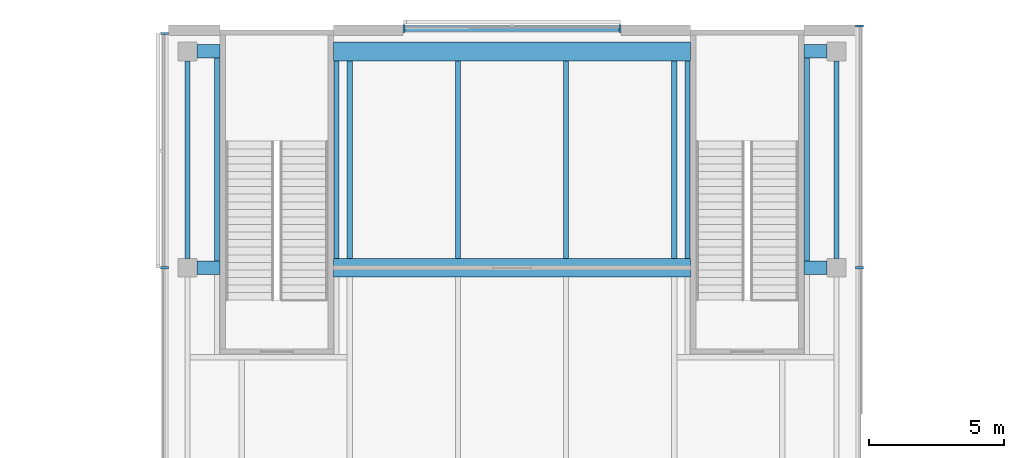
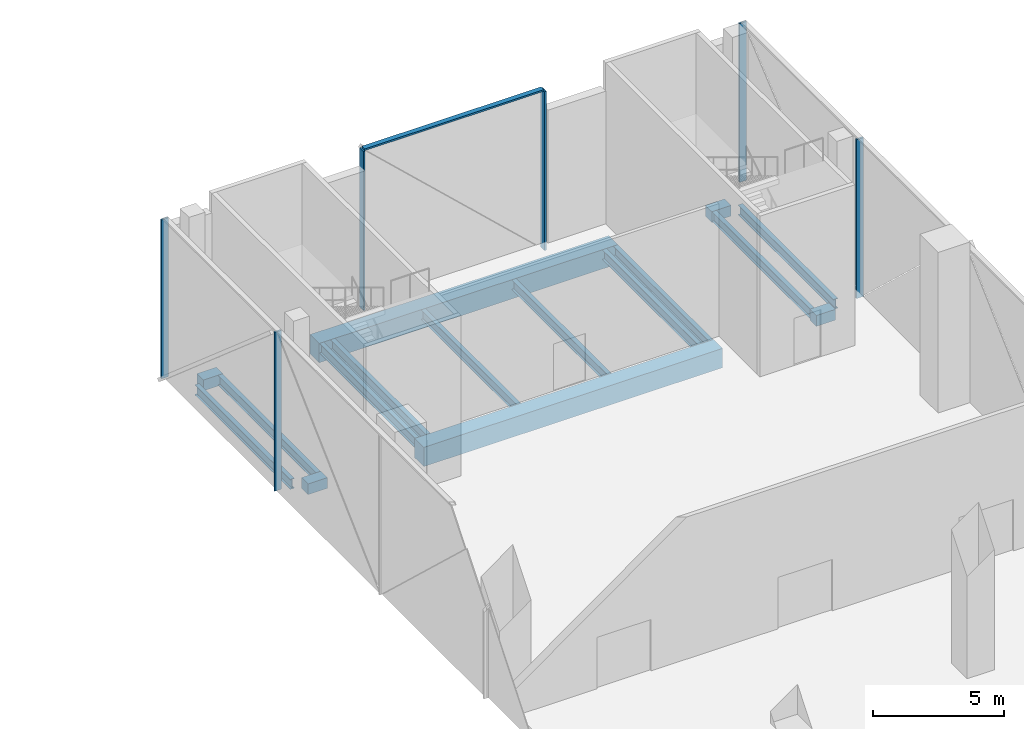
# One storey, part 11 of 25: 16 beams, 7 members, 3 elements without a shape of their own.
"""IFC4 building model written with IfcOpenShell, lengths in metres."""

from ifc_helpers import new_model, si_unit, direction, frame, origin, origin_2d, place, context, subcontext, project, spatial, rectangle, i_section, extrude, material, material_profile, profile_set, type_object, element, aggregate, save


model = new_model("IFC4")

# Units and contexts
model_context = context("Model", 3, precision=1e-05, world=origin(), true_north=direction((0.0, 1.0)))
body_context = subcontext(model_context, "Body", "Model", "MODEL_VIEW")
ifc_project = project(units=[si_unit("LENGTHUNIT", "METRE"), si_unit("AREAUNIT", "SQUARE_METRE"), si_unit("VOLUMEUNIT", "CUBIC_METRE"), si_unit("PLANEANGLEUNIT", "RADIAN"), si_unit("MASSUNIT", "GRAM", prefix="KILO")], contexts=[model_context])

# Site, building, storey
site_placement = place(None, origin())
site = spatial("IfcSite", under=ifc_project, at=site_placement, CompositionType="ELEMENT")
building_placement = place(site_placement, origin())
building = spatial("IfcBuilding", under=site, at=building_placement, Name="Crosswind Convention Tower", CompositionType="ELEMENT")
storey_placement = place(building_placement, frame((0.0, 0.0, 34.0)))
storey = spatial("IfcBuildingStorey", under=building, at=storey_placement, Name="L04", CompositionType="ELEMENT", Elevation=34.0)

# Beams
ifc_material_1 = material(Name="Steel S355", Category="steel")
ifc_material_profile_1 = material_profile(ifc_material_1, i_section(OverallWidth=0.19287109375, OverallDepth=0.467529296875, WebThickness=0.011474609375, FlangeThickness=0.01953125, FilletRadius=0.01025390625, at=origin_2d()), Name="UB 457x191x98")
ifc_profile_set_1 = profile_set([ifc_material_profile_1], Name="Steel S355")
beam_type_1 = type_object("IfcBeamType", Name="Edge beam UB 457x191x98", PredefinedType="SPANDREL", material=ifc_profile_set_1)
for number, where, z_axis, x_axis, name in (
    (1, (113.0, 136.35009765625, -0.6337890625), (0.0, 1.0, 0.0), (-1.0, 0.0, 0.0), "B20 L04 edge beam 12"),
    (2, (137.0, 136.35009765625, -0.6337890625), (0.0, 1.0, 0.0), (-1.0, 0.0, 0.0), "B20 L04 edge beam 20"),
):
    element("IfcBeam", number, at=place(storey_placement, frame(where, z_axis=z_axis, x_axis=x_axis)), inside=storey, type_object=beam_type_1, Name=name, PredefinedType="SPANDREL", context=body_context, shape_type="SweptSolid", body=[
        extrude(i_section(OverallWidth=0.19287109375, OverallDepth=0.467529296875, WebThickness=0.011474609375, FlangeThickness=0.01953125, FilletRadius=0.01025390625, at=origin_2d()), origin(), (0.0, 0.0, 1.0), 7.2998046875),
    ])

# Curtain wall, members
ifc_material_2 = material(Name="Aluminium unitised curtain wall", Category="aluminium")
curtain_wall_type = type_object("IfcCurtainWallType", Name="PODIUM UNITISED WALL 300", PredefinedType="USERDEFINED", material=ifc_material_2)
curtain_wall_1_placement = place(storey_placement, origin())
curtain_wall_1 = element("IfcCurtainWall", 3, at=curtain_wall_1_placement, inside=storey, type_object=curtain_wall_type, Name="CW1 L04 N-E 1", ObjectType="UNITISED", PredefinedType="USERDEFINED")
ifc_material_3 = material(Name="Aluminium mullion", Category="aluminium")
ifc_material_profile_2 = material_profile(ifc_material_3, rectangle(XDim=0.300048828125, YDim=0.080078125, at=origin_2d()), Name="AL 300X80")
ifc_profile_set_2 = profile_set([ifc_material_profile_2], Name="Aluminium mullion")
member_type_1 = type_object("IfcMemberType", Name="MULLION 80X300", PredefinedType="MULLION", material=ifc_profile_set_2)
member_1_placement = place(storey_placement, frame((137.85009765625, 136.0, -0.39990234375), z_axis=(0.0, 0.0, 1.0), x_axis=(1.0, 0.0, 0.0)))
member_1 = element("IfcMember", 4, at=member_1_placement, type_object=member_type_1, Name="CW1 mullion 3", PredefinedType="MULLION", context=body_context, shape_type="SweptSolid", body=[
    extrude(rectangle(XDim=0.300048828125, YDim=0.080078125, at=origin_2d()), origin(), (0.0, 0.0, 1.0), 7.419921875),
])
member_2_placement = place(storey_placement, frame((137.85009765625, 144.945068359375, -0.39990234375), z_axis=(0.0, 0.0, 1.0), x_axis=(1.0, 0.0, 0.0)))
member_2 = element("IfcMember", 5, at=member_2_placement, type_object=member_type_1, Name="CW1 mullion 4", PredefinedType="MULLION", context=body_context, shape_type="SweptSolid", body=[
    extrude(rectangle(XDim=0.300048828125, YDim=0.080078125, at=origin_2d()), origin(), (0.0, 0.0, 1.0), 7.419921875),
])
aggregate(curtain_wall_1, [member_1, member_2])

curtain_wall_2_placement = place(storey_placement, origin())
curtain_wall_2 = element("IfcCurtainWall", 6, at=curtain_wall_2_placement, inside=storey, type_object=curtain_wall_type, Name="CW1 L04 N-TIP 1", ObjectType="UNITISED", PredefinedType="USERDEFINED")
member_3_placement = place(storey_placement, frame((129.0, 144.85009765625, -0.39990234375), z_axis=(0.0, 0.0, 1.0), x_axis=(0.0, 1.0, 0.0)))
member_3 = element("IfcMember", 7, at=member_3_placement, type_object=member_type_1, Name="CW1 mullion 1", PredefinedType="MULLION", context=body_context, shape_type="SweptSolid", body=[
    extrude(rectangle(XDim=0.300048828125, YDim=0.080078125, at=origin_2d()), origin(), (0.0, 0.0, 1.0), 7.419921875),
])
member_4_placement = place(storey_placement, frame((121.0, 144.85009765625, -0.39990234375), z_axis=(0.0, 0.0, 1.0), x_axis=(0.0, 1.0, 0.0)))
member_4 = element("IfcMember", 8, at=member_4_placement, type_object=member_type_1, Name="CW1 mullion 2", PredefinedType="MULLION", context=body_context, shape_type="SweptSolid", body=[
    extrude(rectangle(XDim=0.300048828125, YDim=0.080078125, at=origin_2d()), origin(), (0.0, 0.0, 1.0), 7.419921875),
])

curtain_wall_3_placement = place(storey_placement, origin())
curtain_wall_3 = element("IfcCurtainWall", 9, at=curtain_wall_3_placement, inside=storey, type_object=curtain_wall_type, Name="CW1 L04 N-W 1", ObjectType="UNITISED", PredefinedType="USERDEFINED")
member_5_placement = place(storey_placement, frame((112.14990234375, 144.659912109375, -0.39990234375), z_axis=(0.0, 0.0, 1.0), x_axis=(-1.0, 0.0, 0.0)))
member_5 = element("IfcMember", 10, at=member_5_placement, type_object=member_type_1, Name="CW1 mullion 1", PredefinedType="MULLION", context=body_context, shape_type="SweptSolid", body=[
    extrude(rectangle(XDim=0.300048828125, YDim=0.080078125, at=origin_2d()), origin(), (0.0, 0.0, 1.0), 7.419921875),
])
member_6_placement = place(storey_placement, frame((112.14990234375, 136.0, -0.39990234375), z_axis=(0.0, 0.0, 1.0), x_axis=(-1.0, 0.0, 0.0)))
member_6 = element("IfcMember", 11, at=member_6_placement, type_object=member_type_1, Name="CW1 mullion 2", PredefinedType="MULLION", context=body_context, shape_type="SweptSolid", body=[
    extrude(rectangle(XDim=0.300048828125, YDim=0.080078125, at=origin_2d()), origin(), (0.0, 0.0, 1.0), 7.419921875),
])
aggregate(curtain_wall_3, [member_5, member_6])

# Beams
ifc_material_4 = material(Name="Concrete C60/75", Category="concrete")
ifc_material_profile_3 = material_profile(ifc_material_4, rectangle(XDim=0.699951171875, YDim=0.89990234375, at=origin_2d()), Name="RC 700X900")
ifc_profile_set_3 = profile_set([ifc_material_profile_3], Name="Concrete C60/75")
beam_type_2 = type_object("IfcBeamType", Name="Prestressed concrete girder between stair walls RC 700X900", PredefinedType="BEAM", material=ifc_profile_set_3)
for number, where, z_axis, x_axis, name in (
    (12, (118.39990234375, 136.0, -0.85009765625), (1.0, 0.0, 0.0), (0.0, 1.0, 0.0), "B41 L04 prestressed concrete girder between stair walls 5"),
    (13, (118.39990234375, 144.0, -0.85009765625), (1.0, 0.0, 0.0), (0.0, 1.0, 0.0), "B41 L04 prestressed concrete girder between stair walls 6"),
):
    element("IfcBeam", number, at=place(storey_placement, frame(where, z_axis=z_axis, x_axis=x_axis)), inside=storey, type_object=beam_type_2, Name=name, PredefinedType="BEAM", context=body_context, shape_type="SweptSolid", body=[
        extrude(rectangle(XDim=0.699951171875, YDim=0.89990234375, at=origin_2d()), origin(), (0.0, 0.0, 1.0), 13.2001953125),
    ])
ifc_material_profile_4 = material_profile(ifc_material_1, i_section(OverallWidth=0.19140625, OverallDepth=0.460205078125, WebThickness=0.010009765625, FlangeThickness=0.01611328125, FilletRadius=0.01025390625, at=origin_2d()), Name="UB 457x191x82")
ifc_profile_set_4 = profile_set([ifc_material_profile_4], Name="Steel S355")
beam_type_3 = type_object("IfcBeamType", Name="Secondary beam UB 457x191x82", PredefinedType="JOIST", material=ifc_profile_set_4)
for number, where, z_axis, x_axis, name in (
    (14, (119.0, 136.35009765625, -0.630126953125), (0.0, 1.0, 0.0), (-1.0, 0.0, 0.0), "B13 L04 secondary beam 27"),
    (15, (123.0, 136.35009765625, -0.630126953125), (0.0, 1.0, 0.0), (-1.0, 0.0, 0.0), "B13 L04 secondary beam 38"),
    (16, (127.0, 136.35009765625, -0.630126953125), (0.0, 1.0, 0.0), (-1.0, 0.0, 0.0), "B13 L04 secondary beam 46"),
    (17, (131.0, 136.35009765625, -0.630126953125), (0.0, 1.0, 0.0), (-1.0, 0.0, 0.0), "B13 L04 secondary beam 57"),
):
    element("IfcBeam", number, at=place(storey_placement, frame(where, z_axis=z_axis, x_axis=x_axis)), inside=storey, type_object=beam_type_3, Name=name, PredefinedType="JOIST", context=body_context, shape_type="SweptSolid", body=[
        extrude(i_section(OverallWidth=0.19140625, OverallDepth=0.460205078125, WebThickness=0.010009765625, FlangeThickness=0.01611328125, FilletRadius=0.01025390625, at=origin_2d()), origin(), (0.0, 0.0, 1.0), 7.2998046875),
    ])
ifc_material_profile_5 = material_profile(ifc_material_4, rectangle(XDim=0.5, YDim=0.5, at=origin_2d()), Name="RC 500X500")
ifc_profile_set_5 = profile_set([ifc_material_profile_5], Name="Concrete C60/75")
beam_type_4 = type_object("IfcBeamType", Name="Slab edge tie beam RC 500X500", PredefinedType="BEAM", material=ifc_profile_set_5)
for number, where, z_axis, x_axis, name in (
    (18, (113.35009765625, 136.0, -0.64990234375), (1.0, 0.0, 0.0), (0.0, 1.0, 0.0), "B42 L04 slab edge tie beam 7"),
    (19, (113.35009765625, 144.0, -0.64990234375), (1.0, 0.0, 0.0), (0.0, 1.0, 0.0), "B42 L04 slab edge tie beam 8"),
    (20, (135.800048828125, 136.0, -0.64990234375), (1.0, 0.0, 0.0), (0.0, 1.0, 0.0), "B42 L04 slab edge tie beam 11"),
    (21, (135.800048828125, 144.0, -0.64990234375), (1.0, 0.0, 0.0), (0.0, 1.0, 0.0), "B42 L04 slab edge tie beam 12"),
):
    element("IfcBeam", number, at=place(storey_placement, frame(where, z_axis=z_axis, x_axis=x_axis)), inside=storey, type_object=beam_type_4, Name=name, PredefinedType="BEAM", context=body_context, shape_type="SweptSolid", body=[
        extrude(rectangle(XDim=0.5, YDim=0.5, at=origin_2d()), origin(), (0.0, 0.0, 1.0), 0.849853515625),
    ])

# Member
ifc_material_5 = material(Name="Aluminium transom", Category="aluminium")
ifc_material_profile_6 = material_profile(ifc_material_5, rectangle(XDim=0.219970703125, YDim=0.080078125, at=origin_2d()), Name="AL 220X80")
ifc_profile_set_6 = profile_set([ifc_material_profile_6], Name="Aluminium transom")
member_type_2 = type_object("IfcMemberType", Name="TRANSOM 80X220", PredefinedType="USERDEFINED", material=ifc_profile_set_6)
member_7_placement = place(storey_placement, frame((128.9599609375, 144.85009765625, 7.06005859375), z_axis=(-1.0, 0.0, 0.0), x_axis=(0.0, -1.0, 0.0)))
member_7 = element("IfcMember", 22, at=member_7_placement, type_object=member_type_2, Name="CW1 transom", ObjectType="TRANSOM", PredefinedType="USERDEFINED", context=body_context, shape_type="SweptSolid", body=[
    extrude(rectangle(XDim=0.219970703125, YDim=0.080078125, at=origin_2d()), origin(), (0.0, 0.0, 1.0), 7.919921875),
])

aggregate(curtain_wall_2, [member_3, member_4, member_7])

# Beams
ifc_material_profile_7 = material_profile(ifc_material_1, i_section(OverallWidth=0.19189453125, OverallDepth=0.463623046875, WebThickness=0.010498046875, FlangeThickness=0.017578125, FilletRadius=0.01025390625, at=origin_2d()), Name="UB 457x191x90")
ifc_profile_set_7 = profile_set([ifc_material_profile_7], Name="Steel S355")
beam_type_5 = type_object("IfcBeamType", Name="Trimmer beam UB 457x191x90", PredefinedType="BEAM", material=ifc_profile_set_7)
beam_1_placement = place(storey_placement, frame((114.090087890625, 136.25, -0.6318359375), z_axis=(0.0, 1.0, 0.0), x_axis=(-1.0, 0.0, 0.0)))
element("IfcBeam", 23, at=beam_1_placement, inside=storey, type_object=beam_type_5, Name="B33 L04 trimmer beam 16", PredefinedType="BEAM", context=body_context, shape_type="SweptSolid", body=[
    extrude(i_section(OverallWidth=0.19189453125, OverallDepth=0.463623046875, WebThickness=0.010498046875, FlangeThickness=0.017578125, FilletRadius=0.01025390625, at=origin_2d()), origin(), (0.0, 0.0, 1.0), 7.5),
])
for number, where, z_axis, x_axis, name in (
    (24, (118.510009765625, 136.35009765625, -0.6318359375), (0.0, 1.0, 0.0), (-1.0, 0.0, 0.0), "B33 L04 trimmer beam 20"),
    (25, (131.489990234375, 136.35009765625, -0.6318359375), (0.0, 1.0, 0.0), (-1.0, 0.0, 0.0), "B33 L04 trimmer beam 26"),
):
    element("IfcBeam", number, at=place(storey_placement, frame(where, z_axis=z_axis, x_axis=x_axis)), inside=storey, type_object=beam_type_5, Name=name, PredefinedType="BEAM", context=body_context, shape_type="SweptSolid", body=[
        extrude(i_section(OverallWidth=0.19189453125, OverallDepth=0.463623046875, WebThickness=0.010498046875, FlangeThickness=0.017578125, FilletRadius=0.01025390625, at=origin_2d()), origin(), (0.0, 0.0, 1.0), 7.2998046875),
    ])
beam_2_placement = place(storey_placement, frame((135.909912109375, 136.25, -0.6318359375), z_axis=(0.0, 1.0, 0.0), x_axis=(-1.0, 0.0, 0.0)))
element("IfcBeam", 26, at=beam_2_placement, inside=storey, type_object=beam_type_5, Name="B33 L04 trimmer beam 30", PredefinedType="BEAM", context=body_context, shape_type="SweptSolid", body=[
    extrude(i_section(OverallWidth=0.19189453125, OverallDepth=0.463623046875, WebThickness=0.010498046875, FlangeThickness=0.017578125, FilletRadius=0.01025390625, at=origin_2d()), origin(), (0.0, 0.0, 1.0), 7.5),
])

save(model, "model.ifc")
